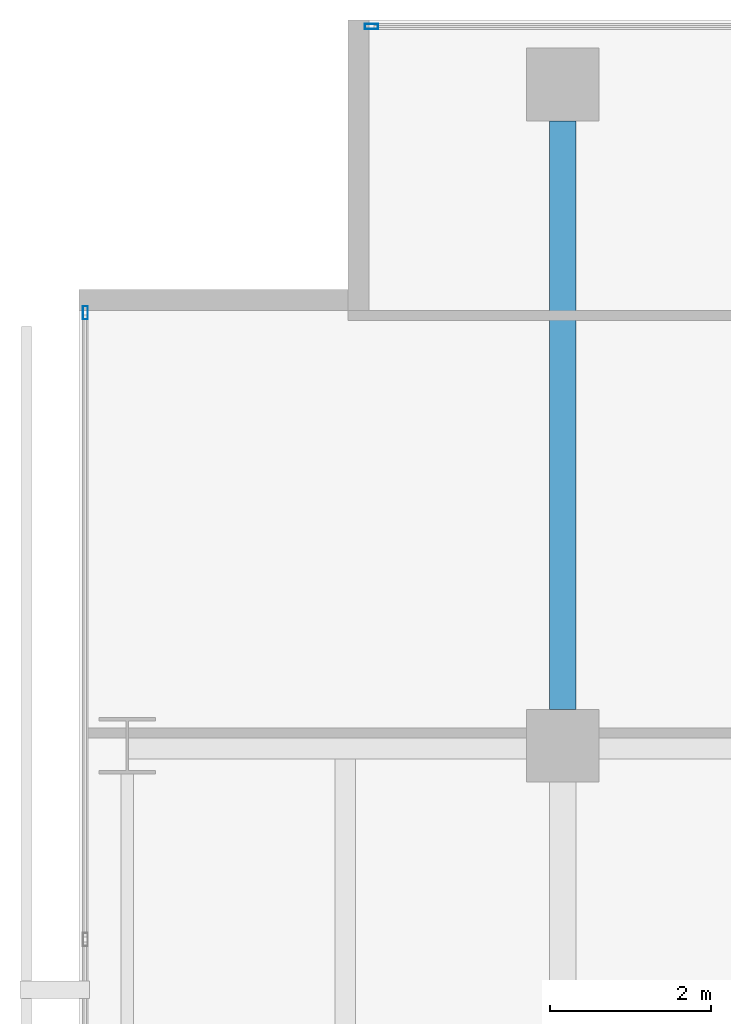
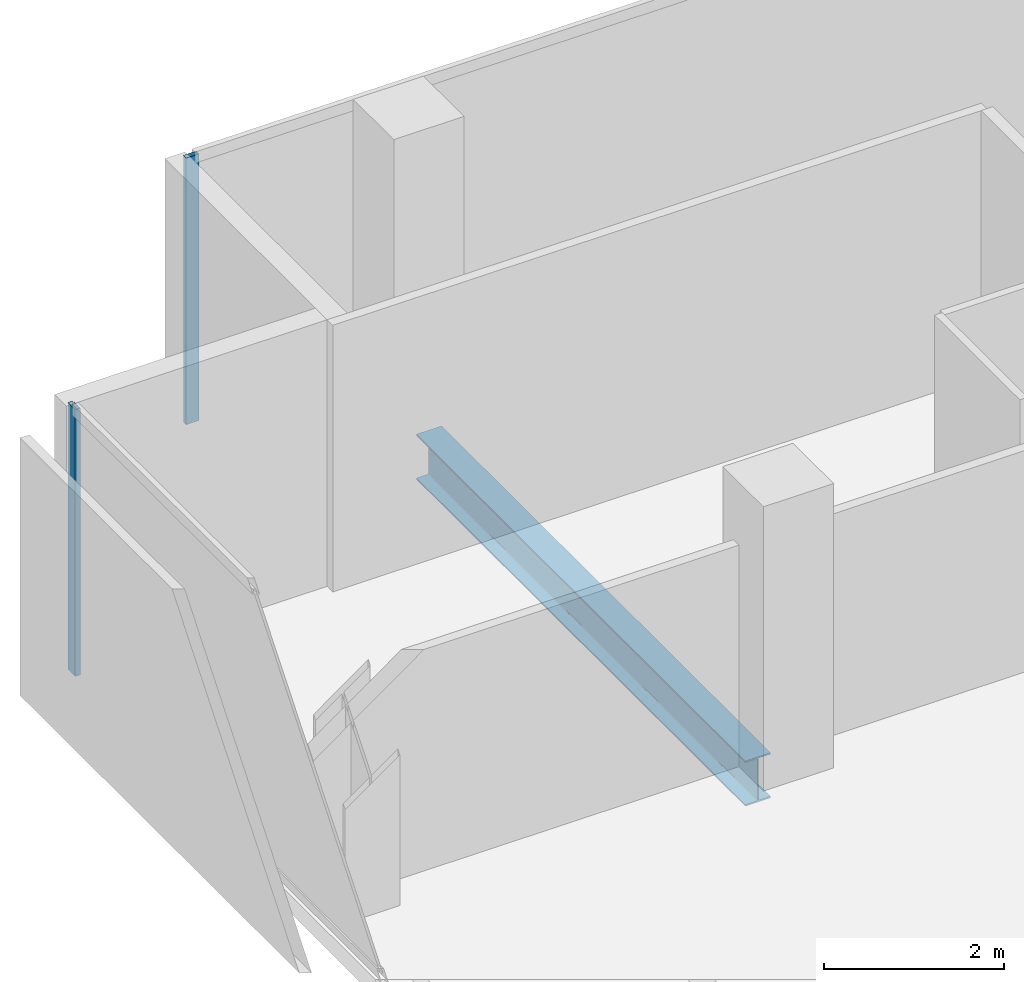
# One storey, part 25 of 40: 2 members, 1 beam, 2 elements without a shape of their own.
"""IFC4 building model written with IfcOpenShell, lengths in metres."""

from ifc_helpers import new_model, si_unit, direction, frame, origin, origin_2d, place, context, subcontext, project, spatial, hollow_rectangle, i_section, extrude, material, layer, layer_set, material_profile, profile_set, type_object, element, aggregate, save


model = new_model("IFC4")

# Units and contexts
model_context = context("Model", 3, precision=1e-05, world=origin(), true_north=direction((0.0, 1.0)))
body_context = subcontext(model_context, "Body", "Model", "MODEL_VIEW")
ifc_project = project(units=[si_unit("LENGTHUNIT", "METRE"), si_unit("AREAUNIT", "SQUARE_METRE"), si_unit("VOLUMEUNIT", "CUBIC_METRE"), si_unit("PLANEANGLEUNIT", "RADIAN"), si_unit("MASSUNIT", "GRAM", prefix="KILO")], contexts=[model_context])

# Site, building, storey
site_placement = place(None, origin())
site = spatial("IfcSite", under=ifc_project, at=site_placement, CompositionType="ELEMENT")
building_placement = place(site_placement, origin())
building = spatial("IfcBuilding", under=site, at=building_placement, Name="Maruvema Waterfront Hotel and Observation Tower", CompositionType="ELEMENT")
storey_placement = place(building_placement, frame((0.0, 0.0, 80.85009765625)))
storey = spatial("IfcBuildingStorey", under=building, at=storey_placement, Name="L19", CompositionType="ELEMENT", Elevation=80.85009765625)

# Curtain wall, member
ifc_material_1 = material(Name="Anodised bronze aluminium and solar-control low-E IGU", Category="aluminium")
ifc_layer = layer(ifc_material_1, 0.159912109375, Name="Zone 1 Bronze Inner Thermal Curtain Wall System CW-02")
ifc_layer_set = layer_set([ifc_layer], Name="Anodised bronze aluminium and solar-control low-E IGU")
curtain_wall_type = type_object("IfcCurtainWallType", Name="Zone 1 Bronze Inner Thermal Curtain Wall System CW-02", PredefinedType="USERDEFINED", material=ifc_layer_set)
curtain_wall_1_placement = place(storey_placement, origin())
curtain_wall_1 = element("IfcCurtainWall", 1, at=curtain_wall_1_placement, inside=storey, type_object=curtain_wall_type, Name="L19 Curtain Wall CW-L19-W", ObjectType="UNITISED CURTAIN WALL", PredefinedType="USERDEFINED")
ifc_material_2 = material(Name="Anodised architectural bronze aluminium", Category="aluminium")
ifc_material_profile_1 = material_profile(ifc_material_2, hollow_rectangle(XDim=0.06494140625, YDim=0.1650390625, WallThickness=0.00390625, at=origin_2d()), Name="ALU-M65x165")
ifc_profile_set_1 = profile_set([ifc_material_profile_1], Name="Anodised architectural bronze aluminium")
member_type = type_object("IfcMemberType", Name="Curtain Wall Primary Mullion ALU-M65x165", PredefinedType="MULLION", material=ifc_profile_set_1)
member_1_placement = place(storey_placement, frame((10.8798828125, 50.3701171875, 0.0), z_axis=(0.0, 0.0, 1.0), x_axis=(1.0, 0.0, 0.0)))
member_1 = element("IfcMember", 2, at=member_1_placement, type_object=member_type, Name="CW-02 mullion 1", PredefinedType="MULLION", context=body_context, shape_type="SweptSolid", body=[
    extrude(hollow_rectangle(XDim=0.06494140625, YDim=0.1650390625, WallThickness=0.00390625, at=origin_2d()), origin(), (0.0, 0.0, 1.0), 3.60986328125),
])
aggregate(curtain_wall_1, [member_1])

curtain_wall_2_placement = place(storey_placement, origin())
curtain_wall_2 = element("IfcCurtainWall", 3, at=curtain_wall_2_placement, inside=storey, type_object=curtain_wall_type, Name="L19 Curtain Wall CW-L19-NW", ObjectType="UNITISED CURTAIN WALL", PredefinedType="USERDEFINED")
member_2_placement = place(storey_placement, frame((14.429931640625, 53.919921875, 0.0), z_axis=(0.0, 0.0, 1.0), x_axis=(0.0, -1.0, 0.0)))
member_2 = element("IfcMember", 4, at=member_2_placement, type_object=member_type, Name="CW-02 mullion 2", PredefinedType="MULLION", context=body_context, shape_type="SweptSolid", body=[
    extrude(hollow_rectangle(XDim=0.06494140625, YDim=0.1650390625, WallThickness=0.00390625, at=origin_2d()), origin(), (0.0, 0.0, 1.0), 3.60986328125),
])
aggregate(curtain_wall_2, [member_2])

# Beam
ifc_material_3 = material(Name="Steel ASTM A572 Grade 50", Category="steel")
ifc_material_profile_2 = material_profile(ifc_material_3, i_section(OverallWidth=0.323974609375, OverallDepth=0.611083984375, WebThickness=0.0126953125, FlangeThickness=0.01904296875, FilletRadius=0.01806640625, at=origin_2d()), Name="W610x155.0")
ifc_profile_set_2 = profile_set([ifc_material_profile_2], Name="Steel ASTM A572 Grade 50")
beam_type = type_object("IfcBeamType", Name="Primary Floor Girder W610x155.0", PredefinedType="BEAM", material=ifc_profile_set_2)
beam_placement = place(storey_placement, frame((16.800048828125, 45.449951171875, -0.545654296875), z_axis=(0.0, 1.0, 0.0), x_axis=(-1.0, 0.0, 0.0)))
element("IfcBeam", 5, at=beam_placement, inside=storey, type_object=beam_type, Name="L19 Floor Girder NS-10", PredefinedType="BEAM", context=body_context, shape_type="SweptSolid", body=[
    extrude(i_section(OverallWidth=0.323974609375, OverallDepth=0.611083984375, WebThickness=0.0126953125, FlangeThickness=0.01904296875, FilletRadius=0.01806640625, at=origin_2d()), origin(), (0.0, 0.0, 1.0), 7.300048828125),
])

save(model, "model.ifc")
